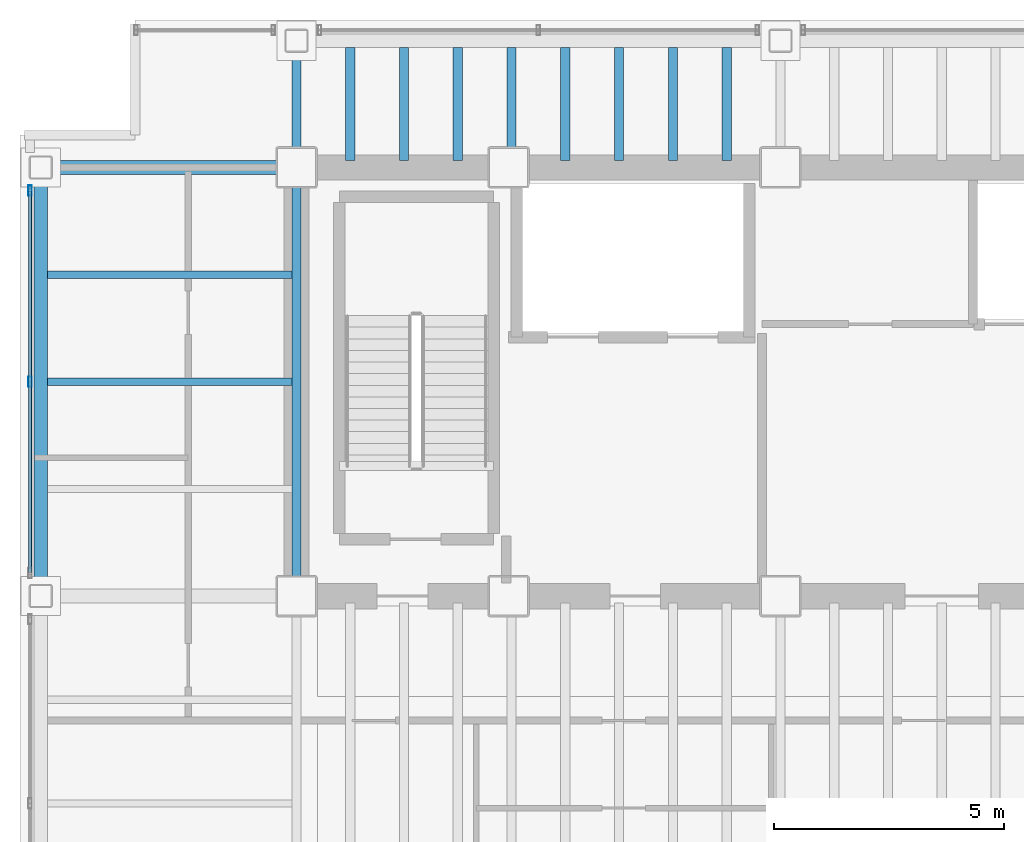
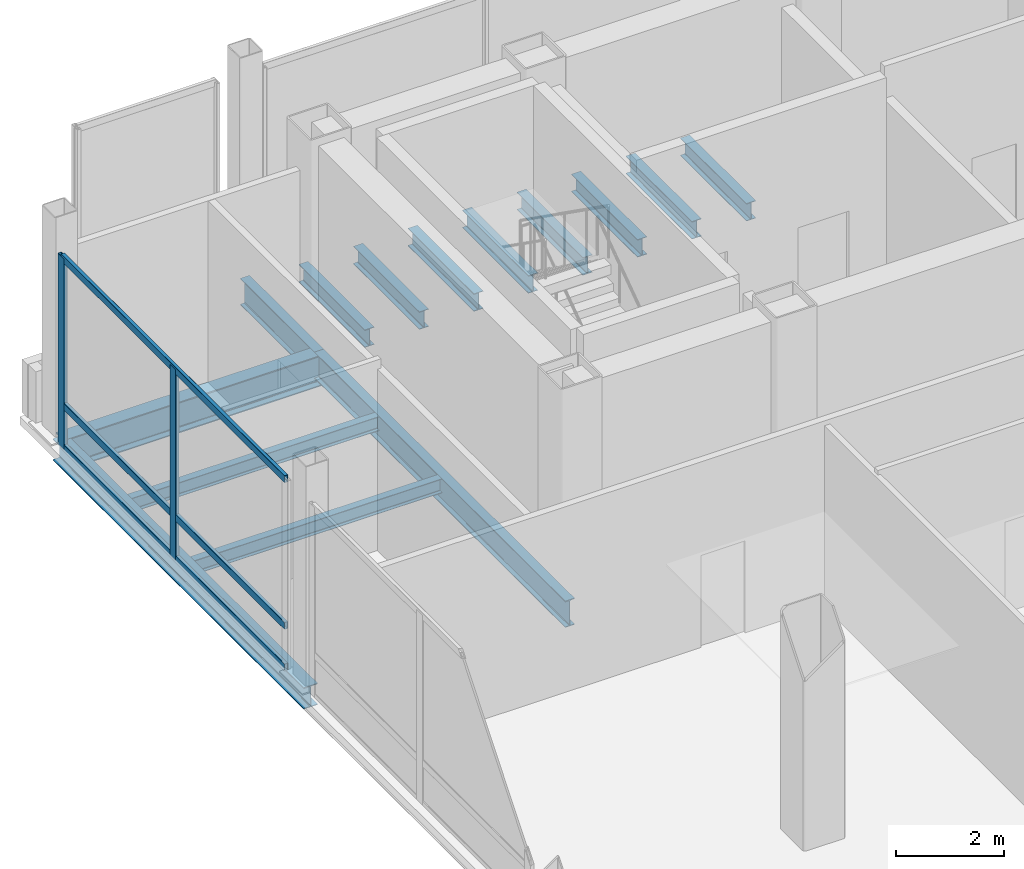
# One storey, part 7 of 22: 14 beams, 5 members, 1 element without a shape of its own.
"""IFC4 building model written with IfcOpenShell, lengths in metres."""

from ifc_helpers import new_model, si_unit, direction, frame, origin, origin_2d, place, context, subcontext, project, spatial, hollow_rectangle, i_section, extrude, material, material_profile, profile_set, type_object, element, aggregate, save


model = new_model("IFC4")

# Units and contexts
model_context = context("Model", 3, precision=1e-05, world=origin(), true_north=direction((0.0, 1.0)))
body_context = subcontext(model_context, "Body", "Model", "MODEL_VIEW")
ifc_project = project(units=[si_unit("LENGTHUNIT", "METRE"), si_unit("AREAUNIT", "SQUARE_METRE"), si_unit("VOLUMEUNIT", "CUBIC_METRE"), si_unit("PLANEANGLEUNIT", "RADIAN"), si_unit("MASSUNIT", "GRAM", prefix="KILO")], contexts=[model_context])

# Site, building, storey
site_placement = place(None, origin())
site = spatial("IfcSite", under=ifc_project, at=site_placement, CompositionType="ELEMENT")
building_placement = place(site_placement, origin())
building = spatial("IfcBuilding", under=site, at=building_placement, Name="Noeulbin Bourse Tower", CompositionType="ELEMENT")
storey_placement = place(building_placement, frame((0.0, 0.0, 106.0)))
storey = spatial("IfcBuildingStorey", under=building, at=storey_placement, Name="L26", CompositionType="ELEMENT", Elevation=106.0)

# Beams
ifc_material_1 = material(Name="Steel S355", Category="steel")
ifc_material_profile_1 = material_profile(ifc_material_1, i_section(OverallWidth=0.199951171875, OverallDepth=0.60009765625, WebThickness=0.010986328125, FlangeThickness=0.01708984375, FilletRadius=0.02197265625, at=origin_2d()), Name="H-600x200x11x17", Category="LoadBearing")
ifc_profile_set_1 = profile_set([ifc_material_profile_1], Name="Steel S355")
beam_type_1 = type_object("IfcBeamType", Name="BM-GRD-600", PredefinedType="USERDEFINED", material=ifc_profile_set_1)
beam_1_placement = place(storey_placement, frame((13.5, 29.0, -0.47998046875), z_axis=(0.0, 1.0, 0.0), x_axis=(-1.0, 0.0, 0.0)))
element("IfcBeam", 1, at=beam_1_placement, inside=storey, type_object=beam_type_1, Name="Tower Primary Girder NS L26-1.3", ObjectType="GIRDER", PredefinedType="USERDEFINED", context=body_context, shape_type="SweptSolid", body=[
    extrude(i_section(OverallWidth=0.199951171875, OverallDepth=0.60009765625, WebThickness=0.010986328125, FlangeThickness=0.01708984375, FilletRadius=0.02197265625, at=origin_2d()), origin(), (0.0, 0.0, 1.0), 9.300048828125),
])
beam_2_placement = place(storey_placement, frame((13.5, 38.300048828125, -0.47998046875), z_axis=(0.0, 1.0, 0.0), x_axis=(-1.0, 0.0, 0.0)))
element("IfcBeam", 2, at=beam_2_placement, inside=storey, type_object=beam_type_1, Name="Tower Primary Girder NS L26-1.4", ObjectType="GIRDER", PredefinedType="USERDEFINED", context=body_context, shape_type="SweptSolid", body=[
    extrude(i_section(OverallWidth=0.199951171875, OverallDepth=0.60009765625, WebThickness=0.010986328125, FlangeThickness=0.01708984375, FilletRadius=0.02197265625, at=origin_2d()), origin(), (0.0, 0.0, 1.0), 2.75),
])
ifc_material_profile_2 = material_profile(ifc_material_1, i_section(OverallWidth=0.300048828125, OverallDepth=0.699951171875, WebThickness=0.012939453125, FlangeThickness=0.02392578125, FilletRadius=0.02392578125, at=origin_2d()), Name="H-700x300x13x24", Category="LoadBearing")
ifc_profile_set_2 = profile_set([ifc_material_profile_2], Name="Steel S355")
beam_type_2 = type_object("IfcBeamType", Name="BM-GRD-700", PredefinedType="USERDEFINED", material=ifc_profile_set_2)
beam_3_placement = place(storey_placement, frame((7.949951171875, 38.300048828125, -0.530029296875), z_axis=(1.0, 0.0, 0.0), x_axis=(0.0, 1.0, 0.0)))
element("IfcBeam", 3, at=beam_3_placement, inside=storey, type_object=beam_type_2, Name="Tower Primary Girder EW L26-3.1", ObjectType="GIRDER", PredefinedType="USERDEFINED", context=body_context, shape_type="SweptSolid", body=[
    extrude(i_section(OverallWidth=0.300048828125, OverallDepth=0.699951171875, WebThickness=0.012939453125, FlangeThickness=0.02392578125, FilletRadius=0.02392578125, at=origin_2d()), origin(), (0.0, 0.0, 1.0), 5.550048828125),
])
ifc_material_profile_3 = material_profile(ifc_material_1, i_section(OverallWidth=0.159912109375, OverallDepth=0.320068359375, WebThickness=0.006591796875, FlangeThickness=0.010009765625, FilletRadius=0.012939453125, at=origin_2d()), Name="H-320x160x6.5x10", Category="LoadBearing")
ifc_profile_set_3 = profile_set([ifc_material_profile_3], Name="Steel S355")
beam_type_3 = type_object("IfcBeamType", Name="BM-JST-320", PredefinedType="JOIST", material=ifc_profile_set_3)
for number, where, z_axis, x_axis, name in (
    (4, (8.10009765625, 33.64990234375, -0.340087890625), (1.0, 0.0, 0.0), (0.0, 1.0, 0.0), "Wing Composite Joist L26-W74"),
    (5, (8.10009765625, 35.97509765625, -0.340087890625), (1.0, 0.0, 0.0), (0.0, 1.0, 0.0), "Wing Composite Joist L26-W75"),
):
    element("IfcBeam", number, at=place(storey_placement, frame(where, z_axis=z_axis, x_axis=x_axis)), inside=storey, type_object=beam_type_3, Name=name, PredefinedType="JOIST", context=body_context, shape_type="SweptSolid", body=[
        extrude(i_section(OverallWidth=0.159912109375, OverallDepth=0.320068359375, WebThickness=0.006591796875, FlangeThickness=0.010009765625, FilletRadius=0.012939453125, at=origin_2d()), origin(), (0.0, 0.0, 1.0), 5.2998046875),
    ])
ifc_material_profile_4 = material_profile(ifc_material_1, i_section(OverallWidth=0.199951171875, OverallDepth=0.39990234375, WebThickness=0.008056640625, FlangeThickness=0.012939453125, FilletRadius=0.01611328125, at=origin_2d()), Name="H-400x200x8x13", Category="LoadBearing")
ifc_profile_set_4 = profile_set([ifc_material_profile_4], Name="Steel S355")
beam_type_4 = type_object("IfcBeamType", Name="BM-SEC-400", PredefinedType="BEAM", material=ifc_profile_set_4)
for number, where, z_axis, x_axis, name in (
    (6, (14.666748046875, 38.449951171875, -0.3798828125), (0.0, 1.0, 0.0), (-1.0, 0.0, 0.0), "Tower Composite Joist L26-03"),
    (7, (15.833251953125, 38.449951171875, -0.3798828125), (0.0, 1.0, 0.0), (-1.0, 0.0, 0.0), "Tower Composite Joist L26-06"),
    (8, (17.0, 38.449951171875, -0.3798828125), (0.0, 1.0, 0.0), (-1.0, 0.0, 0.0), "Tower Composite Joist L26-09"),
    (9, (18.166748046875, 38.449951171875, -0.3798828125), (0.0, 1.0, 0.0), (-1.0, 0.0, 0.0), "Tower Composite Joist L26-12"),
    (10, (19.333251953125, 38.449951171875, -0.3798828125), (0.0, 1.0, 0.0), (-1.0, 0.0, 0.0), "Tower Composite Joist L26-15"),
    (11, (20.5, 38.449951171875, -0.3798828125), (0.0, 1.0, 0.0), (-1.0, 0.0, 0.0), "Tower Composite Joist L26-18"),
    (12, (21.666748046875, 38.449951171875, -0.3798828125), (0.0, 1.0, 0.0), (-1.0, 0.0, 0.0), "Tower Composite Joist L26-21"),
    (13, (22.833251953125, 38.449951171875, -0.3798828125), (0.0, 1.0, 0.0), (-1.0, 0.0, 0.0), "Tower Composite Joist L26-24"),
):
    element("IfcBeam", number, at=place(storey_placement, frame(where, z_axis=z_axis, x_axis=x_axis)), inside=storey, type_object=beam_type_4, Name=name, PredefinedType="BEAM", context=body_context, shape_type="SweptSolid", body=[
        extrude(i_section(OverallWidth=0.199951171875, OverallDepth=0.39990234375, WebThickness=0.008056640625, FlangeThickness=0.012939453125, FilletRadius=0.01611328125, at=origin_2d()), origin(), (0.0, 0.0, 1.0), 2.449951171875),
    ])
ifc_material_profile_5 = material_profile(ifc_material_1, i_section(OverallWidth=0.300048828125, OverallDepth=0.488037109375, WebThickness=0.010986328125, FlangeThickness=0.01806640625, FilletRadius=0.02197265625, at=origin_2d()), Name="H-488x300x11x18", Category="LoadBearing")
ifc_profile_set_5 = profile_set([ifc_material_profile_5], Name="Steel S355")
beam_type_5 = type_object("IfcBeamType", Name="BM-SPN-488", PredefinedType="SPANDREL", material=ifc_profile_set_5)
beam_4_placement = place(storey_placement, frame((7.949951171875, 29.0, -0.424072265625), z_axis=(0.0, 1.0, 0.0), x_axis=(-1.0, 0.0, 0.0)))
element("IfcBeam", 14, at=beam_4_placement, inside=storey, type_object=beam_type_5, Name="West Spandrel L26-2", PredefinedType="SPANDREL", context=body_context, shape_type="SweptSolid", body=[
    extrude(i_section(OverallWidth=0.300048828125, OverallDepth=0.488037109375, WebThickness=0.010986328125, FlangeThickness=0.01806640625, FilletRadius=0.02197265625, at=origin_2d()), origin(), (0.0, 0.0, 1.0), 9.300048828125),
])

# Curtain wall, members
ifc_material_2 = material(Name="Dark Tinted Triple Glazing", Category="glass")
curtain_wall_type = type_object("IfcCurtainWallType", Name="CW-SYS-3", PredefinedType="NOTDEFINED", material=ifc_material_2)
curtain_wall_placement = place(storey_placement, origin())
curtain_wall = element("IfcCurtainWall", 15, at=curtain_wall_placement, inside=storey, type_object=curtain_wall_type, Name="Unitised Curtain Wall CW-L26-W-S3", PredefinedType="NOTDEFINED")
ifc_material_3 = material(Name="Anodised Aluminium 6063-T6", Category="aluminium")
ifc_material_profile_6 = material_profile(ifc_material_3, hollow_rectangle(XDim=0.074951171875, YDim=0.219970703125, WallThickness=0.0048828125, InnerFilletRadius=0.00244140625, OuterFilletRadius=0.0048828125, at=origin_2d()), Name="ALU-MULL-75x220x5", Category="LoadBearing")
ifc_profile_set_6 = profile_set([ifc_material_profile_6], Name="Anodised Aluminium 6063-T6")
member_type_1 = type_object("IfcMemberType", Name="CW-SYS-3-MUL", PredefinedType="MULLION", material=ifc_profile_set_6)
member_1_placement = place(storey_placement, frame((7.719970703125, 33.64990234375, -0.02001953125), z_axis=(0.0, 0.0, 1.0), x_axis=(1.0, 0.0, 0.0)))
member_1 = element("IfcMember", 16, at=member_1_placement, type_object=member_type_1, Name="Curtain Wall Mullion CW-L26-W-S3-M01", PredefinedType="MULLION", context=body_context, shape_type="SweptSolid", body=[
    extrude(hollow_rectangle(XDim=0.074951171875, YDim=0.219970703125, WallThickness=0.0048828125, InnerFilletRadius=0.00244140625, OuterFilletRadius=0.0048828125, at=origin_2d()), origin(), (0.0, 0.0, 1.0), 4.320068359375),
])
member_2_placement = place(storey_placement, frame((7.719970703125, 37.800048828125, -0.02001953125), z_axis=(0.0, 0.0, 1.0), x_axis=(1.0, 0.0, 0.0)))
member_2 = element("IfcMember", 17, at=member_2_placement, type_object=member_type_1, Name="Curtain Wall Mullion CW-L26-W-S3-M02", PredefinedType="MULLION", context=body_context, shape_type="SweptSolid", body=[
    extrude(hollow_rectangle(XDim=0.074951171875, YDim=0.219970703125, WallThickness=0.0048828125, InnerFilletRadius=0.00244140625, OuterFilletRadius=0.0048828125, at=origin_2d()), origin(), (0.0, 0.0, 1.0), 4.320068359375),
])
ifc_material_profile_7 = material_profile(ifc_material_3, hollow_rectangle(XDim=0.074951171875, YDim=0.159912109375, WallThickness=0.0048828125, InnerFilletRadius=0.00244140625, OuterFilletRadius=0.0048828125, at=origin_2d()), Name="ALU-TRAN-75x160x5", Category="LoadBearing")
ifc_profile_set_7 = profile_set([ifc_material_profile_7], Name="Anodised Aluminium 6063-T6")
member_type_2 = type_object("IfcMemberType", Name="CW-SYS-3-TRN", PredefinedType="USERDEFINED", material=ifc_profile_set_7)
member_3_placement = place(storey_placement, frame((7.719970703125, 29.510009765625, 0.010009765625), z_axis=(0.0, 1.0, 0.0), x_axis=(-1.0, 0.0, 0.0)))
member_3 = element("IfcMember", 18, at=member_3_placement, type_object=member_type_2, Name="Curtain Wall Transom CW-L26-W-S3-T00", ObjectType="TRANSOM", PredefinedType="USERDEFINED", context=body_context, shape_type="SweptSolid", body=[
    extrude(hollow_rectangle(XDim=0.074951171875, YDim=0.159912109375, WallThickness=0.0048828125, InnerFilletRadius=0.00244140625, OuterFilletRadius=0.0048828125, at=origin_2d()), origin(), (0.0, 0.0, 1.0), 8.280029296875),
])
member_4_placement = place(storey_placement, frame((7.719970703125, 29.510009765625, 0.949951171875), z_axis=(0.0, 1.0, 0.0), x_axis=(-1.0, 0.0, 0.0)))
member_4 = element("IfcMember", 19, at=member_4_placement, type_object=member_type_2, Name="Curtain Wall Transom CW-L26-W-S3-T01", ObjectType="TRANSOM", PredefinedType="USERDEFINED", context=body_context, shape_type="SweptSolid", body=[
    extrude(hollow_rectangle(XDim=0.074951171875, YDim=0.159912109375, WallThickness=0.0048828125, InnerFilletRadius=0.00244140625, OuterFilletRadius=0.0048828125, at=origin_2d()), origin(), (0.0, 0.0, 1.0), 8.280029296875),
])
member_5_placement = place(storey_placement, frame((7.719970703125, 29.510009765625, 4.27001953125), z_axis=(0.0, 1.0, 0.0), x_axis=(-1.0, 0.0, 0.0)))
member_5 = element("IfcMember", 20, at=member_5_placement, type_object=member_type_2, Name="Curtain Wall Transom CW-L26-W-S3-T02", ObjectType="TRANSOM", PredefinedType="USERDEFINED", context=body_context, shape_type="SweptSolid", body=[
    extrude(hollow_rectangle(XDim=0.074951171875, YDim=0.159912109375, WallThickness=0.0048828125, InnerFilletRadius=0.00244140625, OuterFilletRadius=0.0048828125, at=origin_2d()), origin(), (0.0, 0.0, 1.0), 8.280029296875),
])
aggregate(curtain_wall, [member_1, member_2, member_3, member_4, member_5])

save(model, "model.ifc")
